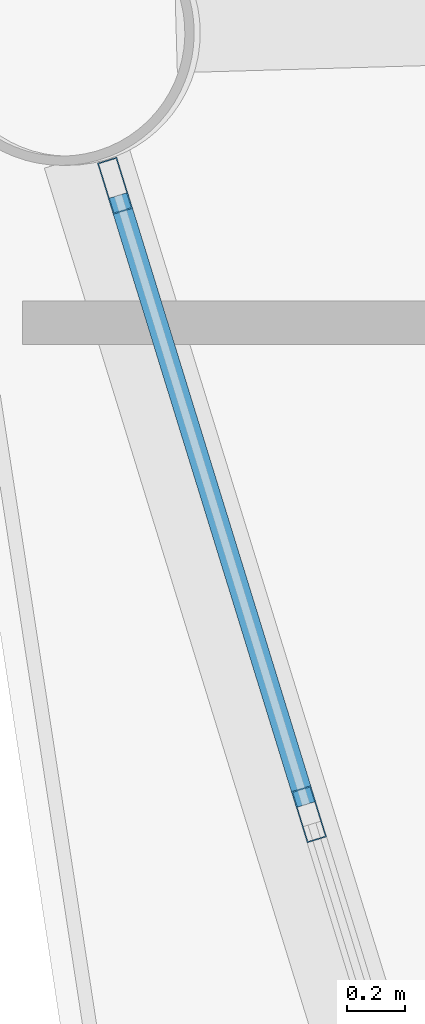
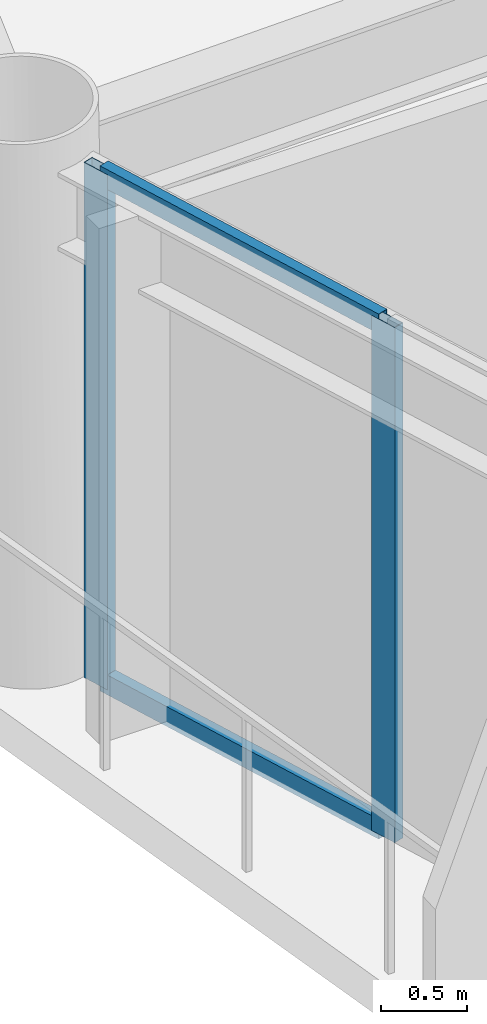
# One storey, part 8 of 25: 4 members, 1 element without a shape of its own.
"""IFC4 building model written with IfcOpenShell, lengths in metres."""

import ifcopenshell
import ifcopenshell.guid

model = None  # the IFC model being written
_history = None  # IfcOwnerHistory: only IFC2X3 demands one
_inside = {}  # id of a spatial element -> (the spatial element, [elements in it])
_under = {}  # id of a project, library or spatial element -> (it, [spatial elements below it])
_declared = {}  # id of a project -> (the project, [libraries it declares])
_typed = {}  # id of a type object -> (the type object, [elements of that type])
_made_of = {}  # id of a material, layer set ... -> (it, [elements and type objects made of it])


def new_model(schema):
    """Start an empty IFC model of exactly this schema.

    Asked for "IFC4X3", IfcOpenShell would pick the latest addendum, in which some entities
    have other attributes; the version numbers below select the first issue.
    IFC2X3 requires an IfcOwnerHistory on every rooted entity: one is made here for all.
    """
    global model, _history
    if schema == "IFC4X3":
        model = ifcopenshell.file(schema_version=(4, 3, 0, 0))
    else:
        model = ifcopenshell.file(schema=schema)
    _inside.clear()
    _under.clear()
    _declared.clear()
    _typed.clear()
    _made_of.clear()
    _history = None
    if model.schema == "IFC2X3":
        org = make("IfcOrganization", Name="unknown")
        user = make(
            "IfcPersonAndOrganization",
            ThePerson=make("IfcPerson", FamilyName="unknown"),
            TheOrganization=org,
        )
        app = make(
            "IfcApplication",
            ApplicationDeveloper=org,
            Version="unknown",
            ApplicationFullName="unknown",
            ApplicationIdentifier="unknown",
        )
        _history = make(
            "IfcOwnerHistory",
            OwningUser=user,
            OwningApplication=app,
            ChangeAction="ADDED",
            CreationDate=0,
        )
    return model


def make(cls, **values):
    """One entity of the class cls with the attributes given. An attribute that is None is left unset."""
    return model.create_entity(
        cls, **{name: value for name, value in values.items() if value is not None}
    )


def rooted(cls, **values):
    """An entity with a GlobalId (a new one), such as an element, a storey or a relation."""
    return make(cls, GlobalId=ifcopenshell.guid.new(), OwnerHistory=_history, **values)


def si_unit(unit_type, name, prefix=None):
    """IfcSIUnit, for example si_unit("LENGTHUNIT", "METRE", prefix="MILLI")."""
    return make("IfcSIUnit", UnitType=unit_type, Prefix=prefix, Name=name)


def assignment(units):
    """IfcUnitAssignment: the units of a project."""
    return None if units is None else make("IfcUnitAssignment", Units=units)


def point(xyz):
    """IfcCartesianPoint."""
    return None if xyz is None else make("IfcCartesianPoint", Coordinates=xyz)


def direction(xyz):
    """IfcDirection."""
    return None if xyz is None else make("IfcDirection", DirectionRatios=xyz)


def frame(location, z_axis=None, x_axis=None):
    """IfcAxis2Placement3D, a coordinate frame: its origin and axes. An axis left out is left unset."""
    return make(
        "IfcAxis2Placement3D",
        Location=point(location),
        Axis=direction(z_axis),
        RefDirection=direction(x_axis),
    )


def frame_2d(location, x_axis=None):
    """IfcAxis2Placement2D, a coordinate frame in the plane: its origin and x axis."""
    return make(
        "IfcAxis2Placement2D", Location=point(location), RefDirection=direction(x_axis)
    )


def origin():
    """The frame at (0, 0, 0) with its axes left unset."""
    return frame((0.0, 0.0, 0.0))


def origin_2d():
    """The frame at (0, 0) in the plane with its x axis left unset."""
    return frame_2d((0.0, 0.0))


def place(relative_to, where):
    """IfcLocalPlacement: puts the frame where relative to a parent placement (None: the world)."""
    return make(
        "IfcLocalPlacement", PlacementRelTo=relative_to, RelativePlacement=where
    )


def context(
    kind, dimensions, precision=None, world=None, true_north=None, identifier=None
):
    """IfcGeometricRepresentationContext, for example the 3D "Model" context."""
    return make(
        "IfcGeometricRepresentationContext",
        ContextIdentifier=identifier,
        ContextType=kind,
        CoordinateSpaceDimension=dimensions,
        Precision=precision,
        WorldCoordinateSystem=world,
        TrueNorth=true_north,
    )


def subcontext(parent, identifier, kind, view, scale=None):
    """IfcGeometricRepresentationSubContext, for example "Body" below "Model"."""
    return make(
        "IfcGeometricRepresentationSubContext",
        ContextIdentifier=identifier,
        ContextType=kind,
        ParentContext=parent,
        TargetScale=scale,
        TargetView=view,
    )


def project(units=None, contexts=None):
    """IfcProject with its units and contexts."""
    return rooted(
        "IfcProject",
        Name="project",
        RepresentationContexts=contexts,
        UnitsInContext=assignment(units),
    )


def spatial(cls, under=None, at=None, **own):
    """A site, building, storey or space (cls), placed at a placement, below another one or the project."""
    s = rooted(cls, ObjectPlacement=at, **own)
    if under is not None:
        _under.setdefault(under.id(), (under, []))[1].append(s)
    return s


def profile(cls, at=None, kind="AREA", **sizes):
    """A parametric profile (cls). Its sizes go by their IFC names, for example OverallWidth=200.0."""
    return make(cls, ProfileType=kind, Position=at, **sizes)


def hollow_rectangle(**sizes):
    """IfcRectangleHollowProfileDef."""
    return profile("IfcRectangleHollowProfileDef", **sizes)


def extrude(swept, where, along, depth):
    """IfcExtrudedAreaSolid: the profile swept, set in the frame where, extruded along a direction by depth."""
    return make(
        "IfcExtrudedAreaSolid",
        SweptArea=swept,
        Position=where,
        ExtrudedDirection=direction(along),
        Depth=depth,
    )


def shape(context_of_items, identifier, shape_type, items):
    """IfcShapeRepresentation: the items that make up one representation, for example the "Body"."""
    return make(
        "IfcShapeRepresentation",
        ContextOfItems=context_of_items,
        RepresentationIdentifier=identifier,
        RepresentationType=shape_type,
        Items=items,
    )


def material(Name=None, Category=None):
    """IfcMaterial."""
    return make("IfcMaterial", Name=Name, Category=Category)


def layer(
    of_material, thickness, ventilated=None, Name=None, Category=None, Priority=None
):
    """IfcMaterialLayer: one layer of a wall or slab, of a material (None: an air gap)."""
    return make(
        "IfcMaterialLayer",
        Material=of_material,
        LayerThickness=thickness,
        IsVentilated=ventilated,
        Name=Name,
        Category=Category,
        Priority=Priority,
    )


def layer_set(layers, Name=None):
    """IfcMaterialLayerSet."""
    return make("IfcMaterialLayerSet", MaterialLayers=layers, LayerSetName=Name)


def material_profile(
    of_material, cross_section, Name=None, Category=None, Priority=None
):
    """IfcMaterialProfile: a cross section and its material."""
    return make(
        "IfcMaterialProfile",
        Name=Name,
        Material=of_material,
        Profile=cross_section,
        Priority=Priority,
        Category=Category,
    )


def profile_set(profiles, Name=None, composite=None):
    """IfcMaterialProfileSet."""
    return make(
        "IfcMaterialProfileSet",
        Name=Name,
        MaterialProfiles=profiles,
        CompositeProfile=composite,
    )


def made_of(thing, what):
    """Note that an element or type object is made of a material, layer set ...; save() writes the relation."""
    if what is not None:
        _made_of.setdefault(what.id(), (what, []))[1].append(thing)
    return thing


def type_object(cls, material=None, **own):
    """A type object (cls), such as IfcWallType, which elements share."""
    return made_of(rooted(cls, **own), material)


def element(
    cls,
    number,
    at=None,
    inside=None,
    cuts=None,
    type_object=None,
    material=None,
    context=None,
    identifier="Body",
    shape_type=None,
    held_by="IfcProductDefinitionShape",
    body=None,
    shapes=None,
    **own,
):
    """One element of the class cls, such as IfcWall. Its Tag is "e" and its number.

    at: its placement. inside: the storey or other place that contains it. cuts: it is an
    opening in that element (IfcRelVoidsElement). A single representation is given by context,
    identifier, shape_type and body (its items); several are given by shapes. held_by: the class
    of the entity that holds the representations. save() writes the other relations.
    """
    e = rooted(cls, Tag="e%d" % number, ObjectPlacement=at, **own)
    if body is not None:
        shapes = [shape(context, identifier, shape_type, body)]
    if shapes is not None:
        e.Representation = make(held_by, Representations=shapes)
    if inside is not None:
        _inside.setdefault(inside.id(), (inside, []))[1].append(e)
    if cuts is not None:
        rooted(
            "IfcRelVoidsElement", RelatingBuildingElement=cuts, RelatedOpeningElement=e
        )
    if type_object is not None:
        _typed.setdefault(type_object.id(), (type_object, []))[1].append(e)
    return made_of(e, material)


def aggregate(whole, parts):
    """IfcRelAggregates: a whole, such as a stair, and the parts it consists of."""
    return rooted("IfcRelAggregates", RelatingObject=whole, RelatedObjects=parts)


def save(model, path):
    """Write the relations noted so far, then the file.

    IfcRelAggregates (storeys below a building ...), IfcRelContainedInSpatialStructure (elements
    in a storey), IfcRelDefinesByType, IfcRelAssociatesMaterial and IfcRelDeclares: one each for
    every whole, place, type object, material and project.
    """
    for whole, parts in _under.values():
        aggregate(whole, parts)
    for where, things in _inside.values():
        rooted(
            "IfcRelContainedInSpatialStructure",
            RelatedElements=things,
            RelatingStructure=where,
        )
    for kind, things in _typed.values():
        rooted("IfcRelDefinesByType", RelatedObjects=things, RelatingType=kind)
    for what, things in _made_of.values():
        rooted("IfcRelAssociatesMaterial", RelatedObjects=things, RelatingMaterial=what)
    for by, libraries in _declared.values():
        rooted("IfcRelDeclares", RelatingContext=by, RelatedDefinitions=libraries)
    model.write(path)


model = new_model("IFC4")

# Units and contexts
model_context = context("Model", 3, precision=1e-05, world=origin(), true_north=direction((0.0, 1.0)))
body_context = subcontext(model_context, "Body", "Model", "MODEL_VIEW")
ifc_project = project(units=[si_unit("LENGTHUNIT", "METRE"), si_unit("AREAUNIT", "SQUARE_METRE"), si_unit("VOLUMEUNIT", "CUBIC_METRE"), si_unit("PLANEANGLEUNIT", "RADIAN"), si_unit("MASSUNIT", "GRAM", prefix="KILO")], contexts=[model_context])

# Site, building, storey
site_placement = place(None, origin())
site = spatial("IfcSite", under=ifc_project, at=site_placement, CompositionType="ELEMENT")
building_placement = place(site_placement, origin())
building = spatial("IfcBuilding", under=site, at=building_placement, Name="Varnakorn Sky Granary", CompositionType="ELEMENT")
storey_placement = place(building_placement, frame((0.0, 0.0, 70.5)))
storey = spatial("IfcBuildingStorey", under=building, at=storey_placement, Name="L17", CompositionType="ELEMENT", Elevation=70.5)

# Curtain wall, members
ifc_material = material(Name="Anodised Bronze Aluminium Alloy 6063-T6", Category="aluminium")
ifc_layer = layer(ifc_material, 0.18994140625, Name="Anodised Bronze Aluminium Alloy 6063-T6")
ifc_layer_set = layer_set([ifc_layer], Name="Anodised Bronze Aluminium Alloy 6063-T6")
curtain_wall_type = type_object("IfcCurtainWallType", Name="CW-FRM-1", PredefinedType="USERDEFINED", material=ifc_layer_set)
curtain_wall_placement = place(storey_placement, origin())
curtain_wall = element("IfcCurtainWall", 1, at=curtain_wall_placement, inside=storey, type_object=curtain_wall_type, Name="Unitised Curtain Wall CW3 CW-L17-B07", ObjectType="CURTAIN WALL", PredefinedType="USERDEFINED")
ifc_material_profile_1 = material_profile(ifc_material, hollow_rectangle(XDim=0.070068359375, YDim=0.18505859375, WallThickness=0.00390625, at=origin_2d()), Name="ALU MULL 70x185")
ifc_profile_set_1 = profile_set([ifc_material_profile_1], Name="Anodised Bronze Aluminium Alloy 6063-T6")
member_type_1 = type_object("IfcMemberType", Name="CW-FRM-1-MULL", PredefinedType="MULLION", material=ifc_profile_set_1)
member_1_placement = place(storey_placement, frame((-22.36181640625, -2.6962890625, 0.0), z_axis=(0.0, 0.0, 1.0), x_axis=(-0.955536644145, -0.29487238205, 0.0)))
member_1 = element("IfcMember", 2, at=member_1_placement, type_object=member_type_1, Name="CW3 mullion 4", PredefinedType="MULLION", context=body_context, shape_type="SweptSolid", body=[
    extrude(hollow_rectangle(XDim=0.070068359375, YDim=0.18505859375, WallThickness=0.00390625, at=origin_2d()), origin(), (0.0, 0.0, 1.0), 3.639892578125),
])
member_2_placement = place(storey_placement, frame((-23.03125, -0.52734375, 0.0), z_axis=(0.0, 0.0, 1.0), x_axis=(-0.955536644145, -0.29487238205, 0.0)))
member_2 = element("IfcMember", 3, at=member_2_placement, type_object=member_type_1, Name="CW3 mullion 5", PredefinedType="MULLION", context=body_context, shape_type="SweptSolid", body=[
    extrude(hollow_rectangle(XDim=0.070068359375, YDim=0.18505859375, WallThickness=0.00390625, at=origin_2d()), origin(), (0.0, 0.0, 1.0), 3.639892578125),
])
ifc_material_profile_2 = material_profile(ifc_material, hollow_rectangle(XDim=0.070068359375, YDim=0.139892578125, WallThickness=0.00341796875, at=origin_2d()), Name="ALU TRAN 70x140")
ifc_profile_set_2 = profile_set([ifc_material_profile_2], Name="Anodised Bronze Aluminium Alloy 6063-T6")
member_type_2 = type_object("IfcMemberType", Name="CW-FRM-1-TRAN", PredefinedType="USERDEFINED", material=ifc_profile_set_2)
member_3_placement = place(storey_placement, frame((-22.372314453125, -2.662841796875, 0.034912109375), z_axis=(-0.294772070745, 0.955567593794, 0.0), x_axis=(-0.955567593794, -0.294772070745, 0.0)))
member_3 = element("IfcMember", 4, at=member_3_placement, type_object=member_type_2, Name="CW3 transom 4.1", ObjectType="TRANSOM", PredefinedType="USERDEFINED", context=body_context, shape_type="SweptSolid", body=[
    extrude(hollow_rectangle(XDim=0.070068359375, YDim=0.139892578125, WallThickness=0.00341796875, at=origin_2d()), origin(), (0.0, 0.0, 1.0), 2.19970703125),
])
member_4_placement = place(storey_placement, frame((-22.372314453125, -2.662841796875, 3.60498046875), z_axis=(-0.294772070745, 0.955567593794, 0.0), x_axis=(-0.955567593794, -0.294772070745, 0.0)))
member_4 = element("IfcMember", 5, at=member_4_placement, type_object=member_type_2, Name="CW3 transom 4.2", ObjectType="TRANSOM", PredefinedType="USERDEFINED", context=body_context, shape_type="SweptSolid", body=[
    extrude(hollow_rectangle(XDim=0.070068359375, YDim=0.139892578125, WallThickness=0.00341796875, at=origin_2d()), origin(), (0.0, 0.0, 1.0), 2.19970703125),
])
aggregate(curtain_wall, [member_1, member_2, member_3, member_4])

save(model, "model.ifc")
